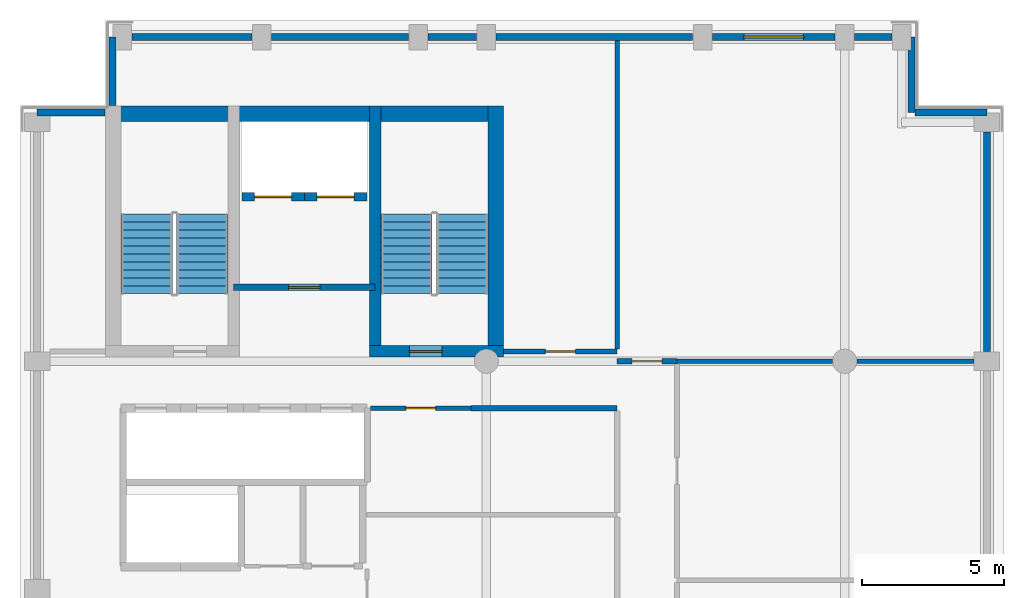
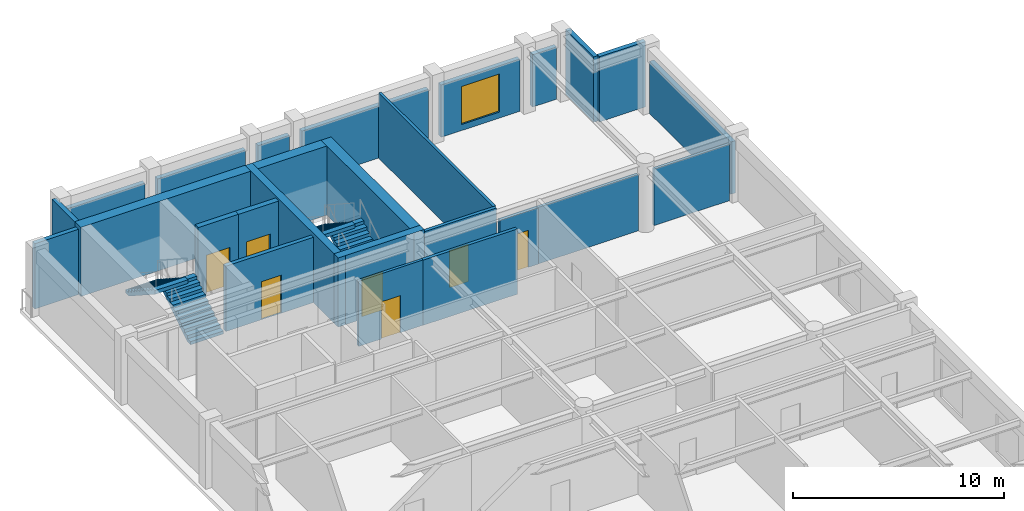
# One storey, part 4 of 6: 25 walls, 7 doors, 4 stair flights, 1 window, 8 openings, 2 elements without a shape of their own.
"""IFC4 building model written with IfcOpenShell, lengths in metres."""

import ifcopenshell
import ifcopenshell.guid

model = None  # the IFC model being written
_history = None  # IfcOwnerHistory: only IFC2X3 demands one
_inside = {}  # id of a spatial element -> (the spatial element, [elements in it])
_under = {}  # id of a project, library or spatial element -> (it, [spatial elements below it])
_declared = {}  # id of a project -> (the project, [libraries it declares])
_typed = {}  # id of a type object -> (the type object, [elements of that type])
_made_of = {}  # id of a material, layer set ... -> (it, [elements and type objects made of it])


def new_model(schema):
    """Start an empty IFC model of exactly this schema.

    Asked for "IFC4X3", IfcOpenShell would pick the latest addendum, in which some entities
    have other attributes; the version numbers below select the first issue.
    IFC2X3 requires an IfcOwnerHistory on every rooted entity: one is made here for all.
    """
    global model, _history
    if schema == "IFC4X3":
        model = ifcopenshell.file(schema_version=(4, 3, 0, 0))
    else:
        model = ifcopenshell.file(schema=schema)
    _inside.clear()
    _under.clear()
    _declared.clear()
    _typed.clear()
    _made_of.clear()
    _history = None
    if model.schema == "IFC2X3":
        org = make("IfcOrganization", Name="unknown")
        user = make(
            "IfcPersonAndOrganization",
            ThePerson=make("IfcPerson", FamilyName="unknown"),
            TheOrganization=org,
        )
        app = make(
            "IfcApplication",
            ApplicationDeveloper=org,
            Version="unknown",
            ApplicationFullName="unknown",
            ApplicationIdentifier="unknown",
        )
        _history = make(
            "IfcOwnerHistory",
            OwningUser=user,
            OwningApplication=app,
            ChangeAction="ADDED",
            CreationDate=0,
        )
    return model


def make(cls, **values):
    """One entity of the class cls with the attributes given. An attribute that is None is left unset."""
    return model.create_entity(
        cls, **{name: value for name, value in values.items() if value is not None}
    )


def rooted(cls, **values):
    """An entity with a GlobalId (a new one), such as an element, a storey or a relation."""
    return make(cls, GlobalId=ifcopenshell.guid.new(), OwnerHistory=_history, **values)


def si_unit(unit_type, name, prefix=None):
    """IfcSIUnit, for example si_unit("LENGTHUNIT", "METRE", prefix="MILLI")."""
    return make("IfcSIUnit", UnitType=unit_type, Prefix=prefix, Name=name)


def assignment(units):
    """IfcUnitAssignment: the units of a project."""
    return None if units is None else make("IfcUnitAssignment", Units=units)


def point(xyz):
    """IfcCartesianPoint."""
    return None if xyz is None else make("IfcCartesianPoint", Coordinates=xyz)


def direction(xyz):
    """IfcDirection."""
    return None if xyz is None else make("IfcDirection", DirectionRatios=xyz)


def frame(location, z_axis=None, x_axis=None):
    """IfcAxis2Placement3D, a coordinate frame: its origin and axes. An axis left out is left unset."""
    return make(
        "IfcAxis2Placement3D",
        Location=point(location),
        Axis=direction(z_axis),
        RefDirection=direction(x_axis),
    )


def frame_2d(location, x_axis=None):
    """IfcAxis2Placement2D, a coordinate frame in the plane: its origin and x axis."""
    return make(
        "IfcAxis2Placement2D", Location=point(location), RefDirection=direction(x_axis)
    )


def origin():
    """The frame at (0, 0, 0) with its axes left unset."""
    return frame((0.0, 0.0, 0.0))


def place(relative_to, where):
    """IfcLocalPlacement: puts the frame where relative to a parent placement (None: the world)."""
    return make(
        "IfcLocalPlacement", PlacementRelTo=relative_to, RelativePlacement=where
    )


def context(
    kind, dimensions, precision=None, world=None, true_north=None, identifier=None
):
    """IfcGeometricRepresentationContext, for example the 3D "Model" context."""
    return make(
        "IfcGeometricRepresentationContext",
        ContextIdentifier=identifier,
        ContextType=kind,
        CoordinateSpaceDimension=dimensions,
        Precision=precision,
        WorldCoordinateSystem=world,
        TrueNorth=true_north,
    )


def subcontext(parent, identifier, kind, view, scale=None):
    """IfcGeometricRepresentationSubContext, for example "Body" below "Model"."""
    return make(
        "IfcGeometricRepresentationSubContext",
        ContextIdentifier=identifier,
        ContextType=kind,
        ParentContext=parent,
        TargetScale=scale,
        TargetView=view,
    )


def project(units=None, contexts=None):
    """IfcProject with its units and contexts."""
    return rooted(
        "IfcProject",
        Name="project",
        RepresentationContexts=contexts,
        UnitsInContext=assignment(units),
    )


def spatial(cls, under=None, at=None, **own):
    """A site, building, storey or space (cls), placed at a placement, below another one or the project."""
    s = rooted(cls, ObjectPlacement=at, **own)
    if under is not None:
        _under.setdefault(under.id(), (under, []))[1].append(s)
    return s


def polyline(points):
    """IfcPolyline through the points."""
    return make("IfcPolyline", Points=[point(p) for p in points])


def profile(cls, at=None, kind="AREA", **sizes):
    """A parametric profile (cls). Its sizes go by their IFC names, for example OverallWidth=200.0."""
    return make(cls, ProfileType=kind, Position=at, **sizes)


def rectangle(**sizes):
    """IfcRectangleProfileDef."""
    return profile("IfcRectangleProfileDef", **sizes)


def outline(outer, holes=None, kind="AREA"):
    """IfcArbitraryClosedProfileDef: a profile drawn as a closed curve; with holes, ...WithVoids."""
    if holes is None:
        return make("IfcArbitraryClosedProfileDef", ProfileType=kind, OuterCurve=outer)
    return make(
        "IfcArbitraryProfileDefWithVoids",
        ProfileType=kind,
        OuterCurve=outer,
        InnerCurves=holes,
    )


def extrude(swept, where, along, depth):
    """IfcExtrudedAreaSolid: the profile swept, set in the frame where, extruded along a direction by depth."""
    return make(
        "IfcExtrudedAreaSolid",
        SweptArea=swept,
        Position=where,
        ExtrudedDirection=direction(along),
        Depth=depth,
    )


def shape(context_of_items, identifier, shape_type, items):
    """IfcShapeRepresentation: the items that make up one representation, for example the "Body"."""
    return make(
        "IfcShapeRepresentation",
        ContextOfItems=context_of_items,
        RepresentationIdentifier=identifier,
        RepresentationType=shape_type,
        Items=items,
    )


def material(Name=None, Category=None):
    """IfcMaterial."""
    return make("IfcMaterial", Name=Name, Category=Category)


def layer(
    of_material, thickness, ventilated=None, Name=None, Category=None, Priority=None
):
    """IfcMaterialLayer: one layer of a wall or slab, of a material (None: an air gap)."""
    return make(
        "IfcMaterialLayer",
        Material=of_material,
        LayerThickness=thickness,
        IsVentilated=ventilated,
        Name=Name,
        Category=Category,
        Priority=Priority,
    )


def layer_set(layers, Name=None):
    """IfcMaterialLayerSet."""
    return make("IfcMaterialLayerSet", MaterialLayers=layers, LayerSetName=Name)


def made_of(thing, what):
    """Note that an element or type object is made of a material, layer set ...; save() writes the relation."""
    if what is not None:
        _made_of.setdefault(what.id(), (what, []))[1].append(thing)
    return thing


def type_object(cls, material=None, **own):
    """A type object (cls), such as IfcWallType, which elements share."""
    return made_of(rooted(cls, **own), material)


def element(
    cls,
    number,
    at=None,
    inside=None,
    cuts=None,
    type_object=None,
    material=None,
    context=None,
    identifier="Body",
    shape_type=None,
    held_by="IfcProductDefinitionShape",
    body=None,
    shapes=None,
    **own,
):
    """One element of the class cls, such as IfcWall. Its Tag is "e" and its number.

    at: its placement. inside: the storey or other place that contains it. cuts: it is an
    opening in that element (IfcRelVoidsElement). A single representation is given by context,
    identifier, shape_type and body (its items); several are given by shapes. held_by: the class
    of the entity that holds the representations. save() writes the other relations.
    """
    e = rooted(cls, Tag="e%d" % number, ObjectPlacement=at, **own)
    if body is not None:
        shapes = [shape(context, identifier, shape_type, body)]
    if shapes is not None:
        e.Representation = make(held_by, Representations=shapes)
    if inside is not None:
        _inside.setdefault(inside.id(), (inside, []))[1].append(e)
    if cuts is not None:
        rooted(
            "IfcRelVoidsElement", RelatingBuildingElement=cuts, RelatedOpeningElement=e
        )
    if type_object is not None:
        _typed.setdefault(type_object.id(), (type_object, []))[1].append(e)
    return made_of(e, material)


def fill(opening, filler):
    """IfcRelFillsElement: the door or window that sits in an opening."""
    return rooted(
        "IfcRelFillsElement",
        RelatingOpeningElement=opening,
        RelatedBuildingElement=filler,
    )


def aggregate(whole, parts):
    """IfcRelAggregates: a whole, such as a stair, and the parts it consists of."""
    return rooted("IfcRelAggregates", RelatingObject=whole, RelatedObjects=parts)


def save(model, path):
    """Write the relations noted so far, then the file.

    IfcRelAggregates (storeys below a building ...), IfcRelContainedInSpatialStructure (elements
    in a storey), IfcRelDefinesByType, IfcRelAssociatesMaterial and IfcRelDeclares: one each for
    every whole, place, type object, material and project.
    """
    for whole, parts in _under.values():
        aggregate(whole, parts)
    for where, things in _inside.values():
        rooted(
            "IfcRelContainedInSpatialStructure",
            RelatedElements=things,
            RelatingStructure=where,
        )
    for kind, things in _typed.values():
        rooted("IfcRelDefinesByType", RelatedObjects=things, RelatingType=kind)
    for what, things in _made_of.values():
        rooted("IfcRelAssociatesMaterial", RelatedObjects=things, RelatingMaterial=what)
    for by, libraries in _declared.values():
        rooted("IfcRelDeclares", RelatingContext=by, RelatedDefinitions=libraries)
    model.write(path)


model = new_model("IFC4")

# Units and contexts
model_context = context("Model", 3, precision=1e-05, world=origin(), true_north=direction((0.0, 1.0)))
body_context = subcontext(model_context, "Body", "Model", "MODEL_VIEW")
ifc_project = project(units=[si_unit("LENGTHUNIT", "METRE"), si_unit("AREAUNIT", "SQUARE_METRE"), si_unit("VOLUMEUNIT", "CUBIC_METRE"), si_unit("PLANEANGLEUNIT", "RADIAN"), si_unit("MASSUNIT", "GRAM", prefix="KILO")], contexts=[model_context])

# Site, building, storey
site_placement = place(None, origin())
site = spatial("IfcSite", under=ifc_project, at=site_placement, CompositionType="ELEMENT")
building_placement = place(site_placement, origin())
building = spatial("IfcBuilding", under=site, at=building_placement, Name="Sulina Concourse Tower", CompositionType="ELEMENT")
storey_placement = place(building_placement, frame((0.0, 0.0, 309.0)))
storey = spatial("IfcBuildingStorey", under=building, at=storey_placement, Name="L75", CompositionType="ELEMENT", Elevation=309.0)

# Wall, opening, door
ifc_material_1 = material(Name="Concrete C50/60", Category="concrete")
ifc_layer_1 = layer(ifc_material_1, 0.300048828125)
ifc_layer_set_1 = layer_set([ifc_layer_1], Name="Concrete C50/60")
wall_type_1 = type_object("IfcWallType", Name="Core Lift Hoistway Wall 300mm", PredefinedType="SOLIDWALL", material=ifc_layer_set_1)
wall_1_placement = place(storey_placement, frame((10.0, 39.780029296875, 0.0), z_axis=(0.0, 0.0, 1.0), x_axis=(-1.0, 0.0, 0.0)))
wall_1 = element("IfcWall", 1, at=wall_1_placement, inside=storey, type_object=wall_type_1, Name="L75 hoistway enclosure wall FFL-1", PredefinedType="SOLIDWALL", context=body_context, shape_type="SweptSolid", body=[
    extrude(rectangle(XDim=2.199951171875, YDim=0.300048828125, at=frame_2d((1.10009765625, 0.0))), origin(), (0.0, 0.0, 1.0), 4.0),
])
opening_1_placement = place(wall_1_placement, frame((0.449951171875, 0.0, 0.0)))
opening_1 = element("IfcOpeningElement", 2, at=opening_1_placement, cuts=wall_1, Name="Opening LD-02", PredefinedType="OPENING", context=body_context, shape_type="SweptSolid", body=[
    extrude(rectangle(XDim=1.300048828125, YDim=2.25, at=frame_2d((0.64990234375, 1.125))), frame((0.0, 0.159912109375, 0.0), z_axis=(0.0, -1.0, 0.0), x_axis=(1.0, 0.0, 0.0)), (0.0, 0.0, 1.0), 0.320068359375),
])
ifc_material_2 = material(Name="Stainless steel lift landing door", Category="steel")
ifc_layer_2 = layer(ifc_material_2, 0.050048828125)
ifc_layer_set_2 = layer_set([ifc_layer_2], Name="Stainless steel lift landing door")
door_type_1 = type_object("IfcDoorType", Name="Firefighting Lift Sliding Landing Door 1300x2250", OperationType="SLIDING_TO_RIGHT", PredefinedType="DOOR", material=ifc_layer_set_2)
door_1_placement = place(opening_1_placement, origin())
door_1 = element("IfcDoor", 3, at=door_1_placement, inside=storey, type_object=door_type_1, Name="L75 lift landing sliding door FFL-1", OperationType="SLIDING_TO_LEFT", OverallHeight=2.25, OverallWidth=1.300048828125, PredefinedType="DOOR", context=body_context, shape_type="SweptSolid", body=[
    extrude(rectangle(XDim=1.300048828125, YDim=2.25, at=frame_2d((0.64990234375, 1.125))), frame((0.0, 0.02490234375, 0.0), z_axis=(0.0, -1.0, 0.0), x_axis=(1.0, 0.0, 0.0)), (0.0, 0.0, 1.0), 0.050048828125),
])
fill(opening_1, door_1)

wall_2_placement = place(storey_placement, frame((12.199951171875, 39.780029296875, 0.0), z_axis=(0.0, 0.0, 1.0), x_axis=(-1.0, 0.0, 0.0)))
wall_2 = element("IfcWall", 4, at=wall_2_placement, inside=storey, type_object=wall_type_1, Name="L75 hoistway enclosure wall FFL-2", PredefinedType="SOLIDWALL", context=body_context, shape_type="SweptSolid", body=[
    extrude(rectangle(XDim=2.199951171875, YDim=0.300048828125, at=frame_2d((1.10009765625, 0.0))), origin(), (0.0, 0.0, 1.0), 4.0),
])
opening_2_placement = place(wall_2_placement, frame((0.449951171875, 0.0, 0.0)))
opening_2 = element("IfcOpeningElement", 5, at=opening_2_placement, cuts=wall_2, Name="Opening LD-02", PredefinedType="OPENING", context=body_context, shape_type="SweptSolid", body=[
    extrude(rectangle(XDim=1.300048828125, YDim=2.25, at=frame_2d((0.64990234375, 1.125))), frame((0.0, 0.159912109375, 0.0), z_axis=(0.0, -1.0, 0.0), x_axis=(1.0, 0.0, 0.0)), (0.0, 0.0, 1.0), 0.320068359375),
])
door_2_placement = place(opening_2_placement, origin())
door_2 = element("IfcDoor", 6, at=door_2_placement, inside=storey, type_object=door_type_1, Name="L75 lift landing sliding door FFL-2", OperationType="SLIDING_TO_RIGHT", OverallHeight=2.25, OverallWidth=1.300048828125, PredefinedType="DOOR", context=body_context, shape_type="SweptSolid", body=[
    extrude(rectangle(XDim=1.300048828125, YDim=2.25, at=frame_2d((0.64990234375, 1.125))), frame((0.0, 0.02490234375, 0.0), z_axis=(0.0, -1.0, 0.0), x_axis=(1.0, 0.0, 0.0)), (0.0, 0.0, 1.0), 0.050048828125),
])
fill(opening_2, door_2)

# Walls
ifc_material_3 = material(Name="Precast concrete C50/60", Category="concrete")
ifc_layer_3 = layer(ifc_material_3, 0.239990234375)
ifc_layer_set_3 = layer_set([ifc_layer_3], Name="Precast concrete C50/60")
wall_type_2 = type_object("IfcWallType", Name="Crown Precast Masonry-Frame Facade Wall 240mm", PredefinedType="SOLIDWALL", material=ifc_layer_set_3)
wall_3_placement = place(storey_placement, frame((3.945068359375, 45.39990234375, 0.0), z_axis=(0.0, 0.0, 1.0), x_axis=(1.0, 0.0, 0.0)))
element("IfcWall", 7, at=wall_3_placement, inside=storey, type_object=wall_type_2, Name="L75 exterior precast wall N1", PredefinedType="SOLIDWALL", context=body_context, shape_type="SweptSolid", body=[
    extrude(rectangle(XDim=4.2099609375, YDim=0.239990234375, at=frame_2d((2.10498046875, 0.0))), origin(), (0.0, 0.0, 1.0), 3.02490234375),
])
wall_4_placement = place(storey_placement, frame((8.844970703125, 45.39990234375, 0.0), z_axis=(0.0, 0.0, 1.0), x_axis=(1.0, 0.0, 0.0)))
element("IfcWall", 8, at=wall_4_placement, inside=storey, type_object=wall_type_2, Name="L75 exterior precast wall N2", PredefinedType="SOLIDWALL", context=body_context, shape_type="SweptSolid", body=[
    extrude(rectangle(XDim=4.81005859375, YDim=0.239990234375, at=frame_2d((2.405029296875, 0.0))), origin(), (0.0, 0.0, 1.0), 3.02490234375),
])
wall_5_placement = place(storey_placement, frame((14.344970703125, 45.39990234375, 0.0), z_axis=(0.0, 0.0, 1.0), x_axis=(1.0, 0.0, 0.0)))
element("IfcWall", 9, at=wall_5_placement, inside=storey, type_object=wall_type_2, Name="L75 exterior precast wall N3", PredefinedType="SOLIDWALL", context=body_context, shape_type="SweptSolid", body=[
    extrude(rectangle(XDim=1.7099609375, YDim=0.239990234375, at=frame_2d((0.85498046875, 0.0))), origin(), (0.0, 0.0, 1.0), 3.02490234375),
])
wall_6_placement = place(storey_placement, frame((16.7451171875, 45.39990234375, 0.0), z_axis=(0.0, 0.0, 1.0), x_axis=(1.0, 0.0, 0.0)))
element("IfcWall", 10, at=wall_6_placement, inside=storey, type_object=wall_type_2, Name="L75 exterior precast wall N4", PredefinedType="SOLIDWALL", context=body_context, shape_type="SweptSolid", body=[
    extrude(rectangle(XDim=6.909912109375, YDim=0.239990234375, at=frame_2d((3.455078125, 0.0))), origin(), (0.0, 0.0, 1.0), 3.02490234375),
])

# Wall, opening, window
wall_7_placement = place(storey_placement, frame((24.344970703125, 45.39990234375, 0.0), z_axis=(0.0, 0.0, 1.0), x_axis=(1.0, 0.0, 0.0)))
wall_7 = element("IfcWall", 11, at=wall_7_placement, inside=storey, type_object=wall_type_2, Name="L75 exterior precast wall N5", PredefinedType="SOLIDWALL", context=body_context, shape_type="SweptSolid", body=[
    extrude(rectangle(XDim=4.31005859375, YDim=0.239990234375, at=frame_2d((2.155029296875, 0.0))), origin(), (0.0, 0.0, 1.0), 3.02490234375),
])
opening_3_placement = place(wall_7_placement, frame((1.10498046875, 0.0, 0.35009765625)))
opening_3 = element("IfcOpeningElement", 12, at=opening_3_placement, cuts=wall_7, Name="Opening WN-33", PredefinedType="OPENING", context=body_context, shape_type="SweptSolid", body=[
    extrude(rectangle(XDim=2.10009765625, YDim=2.199951171875, at=frame_2d((1.050048828125, 1.10009765625))), frame((0.0, 0.1298828125, 0.0), z_axis=(0.0, -1.0, 0.0), x_axis=(1.0, 0.0, 0.0)), (0.0, 0.0, 1.0), 0.260009765625),
])
ifc_material_4 = material(Name="Low-E solar double glazing in bronze aluminium", Category="aluminium")
window_type = type_object("IfcWindowType", Name="Punched Masonry-Frame Window 2100x2200", PartitioningType="DOUBLE_PANEL_VERTICAL", PredefinedType="WINDOW", material=ifc_material_4)
window_placement = place(opening_3_placement, origin())
window = element("IfcWindow", 13, at=window_placement, inside=storey, type_object=window_type, Name="L75 punched window N5-1", OverallHeight=2.199951171875, OverallWidth=2.10009765625, PartitioningType="SINGLE_PANEL", PredefinedType="WINDOW", context=body_context, shape_type="SweptSolid", body=[
    extrude(rectangle(XDim=2.10009765625, YDim=2.199951171875, at=frame_2d((1.050048828125, 1.10009765625))), frame((0.0, 0.030029296875, 0.0), z_axis=(0.0, -1.0, 0.0), x_axis=(1.0, 0.0, 0.0)), (0.0, 0.0, 1.0), 0.06005859375),
])
fill(opening_3, window)

# Walls
wall_8_placement = place(storey_placement, frame((29.344970703125, 45.39990234375, 0.0), z_axis=(0.0, 0.0, 1.0), x_axis=(1.0, 0.0, 0.0)))
element("IfcWall", 14, at=wall_8_placement, inside=storey, type_object=wall_type_2, Name="L75 exterior precast wall N6", PredefinedType="SOLIDWALL", context=body_context, shape_type="SweptSolid", body=[
    extrude(rectangle(XDim=1.31005859375, YDim=0.239990234375, at=frame_2d((0.655029296875, 0.0))), origin(), (0.0, 0.0, 1.0), 3.02490234375),
])
wall_9_placement = place(storey_placement, frame((34.0, 42.054931640625, 0.0), z_axis=(0.0, 0.0, 1.0), x_axis=(0.0, -1.0, 0.0)))
element("IfcWall", 15, at=wall_9_placement, inside=storey, type_object=wall_type_2, Name="L75 exterior precast wall E3", PredefinedType="SOLIDWALL", context=body_context, shape_type="SweptSolid", body=[
    extrude(rectangle(XDim=7.7099609375, YDim=0.239990234375, at=frame_2d((3.85498046875, 0.0))), origin(), (0.0, 0.0, 1.0), 3.02490234375),
])
wall_10_placement = place(storey_placement, frame((0.60009765625, 42.7451171875, 0.0), z_axis=(0.0, 0.0, 1.0), x_axis=(1.0, 0.0, 0.0)))
element("IfcWall", 16, at=wall_10_placement, inside=storey, type_object=wall_type_2, Name="L75 exterior precast wall CNW1", PredefinedType="SOLIDWALL", context=body_context, shape_type="SweptSolid", body=[
    extrude(rectangle(XDim=2.39501953125, YDim=0.239990234375, at=frame_2d((1.197509765625, 0.0))), origin(), (0.0, 0.0, 1.0), 3.77490234375),
])
wall_11_placement = place(storey_placement, frame((3.2548828125, 42.985107421875, 0.0), z_axis=(0.0, 0.0, 1.0), x_axis=(0.0, 1.0, 0.0)))
element("IfcWall", 17, at=wall_11_placement, inside=storey, type_object=wall_type_2, Name="L75 exterior precast wall CNW2", PredefinedType="SOLIDWALL", context=body_context, shape_type="SweptSolid", body=[
    extrude(rectangle(XDim=2.414794921875, YDim=0.239990234375, at=frame_2d((1.20751953125, 0.0))), origin(), (0.0, 0.0, 1.0), 3.77490234375),
])
wall_12_placement = place(storey_placement, frame((31.344970703125, 45.39990234375, 0.0), z_axis=(0.0, 0.0, 1.0), x_axis=(0.0, -1.0, 0.0)))
element("IfcWall", 18, at=wall_12_placement, inside=storey, type_object=wall_type_2, Name="L75 exterior precast wall CNE1", PredefinedType="SOLIDWALL", context=body_context, shape_type="SweptSolid", body=[
    extrude(rectangle(XDim=2.65478515625, YDim=0.239990234375, at=frame_2d((1.327392578125, 0.0))), origin(), (0.0, 0.0, 1.0), 3.77490234375),
])
wall_13_placement = place(storey_placement, frame((31.469970703125, 42.7451171875, 0.0), z_axis=(0.0, 0.0, 1.0), x_axis=(1.0, 0.0, 0.0)))
element("IfcWall", 19, at=wall_13_placement, inside=storey, type_object=wall_type_2, Name="L75 exterior precast wall CNE2", PredefinedType="SOLIDWALL", context=body_context, shape_type="SweptSolid", body=[
    extrude(rectangle(XDim=2.530029296875, YDim=0.239990234375, at=frame_2d((1.26513671875, 0.0))), origin(), (0.0, 0.0, 1.0), 3.77490234375),
])

# Wall, opening, door
ifc_material_5 = material(Name="Gypsum board on steel stud", Category="steel")
ifc_layer_4 = layer(ifc_material_5, 0.219970703125)
ifc_layer_set_4 = layer_set([ifc_layer_4], Name="Gypsum board on steel stud")
wall_type_3 = type_object("IfcWallType", Name="Fire-Rated Lobby & Compartment Wall 220mm", PredefinedType="PARTITIONING", material=ifc_layer_set_4)
wall_14_placement = place(storey_placement, frame((7.510009765625, 36.60009765625, 0.0), z_axis=(0.0, 0.0, 1.0), x_axis=(1.0, 0.0, 0.0)))
wall_14 = element("IfcWall", 20, at=wall_14_placement, inside=storey, type_object=wall_type_3, Name="L75 firefighting lobby south fire wall", PredefinedType="PARTITIONING", context=body_context, shape_type="SweptSolid", body=[
    extrude(rectangle(XDim=4.97998046875, YDim=0.219970703125, at=frame_2d((2.489990234375, 0.0))), origin(), (0.0, 0.0, 1.0), 3.77490234375),
])
opening_4_placement = place(wall_14_placement, frame((1.93994140625, 0.0, 0.0)))
opening_4 = element("IfcOpeningElement", 21, at=opening_4_placement, cuts=wall_14, Name="Opening DR-47", PredefinedType="OPENING", context=body_context, shape_type="SweptSolid", body=[
    extrude(rectangle(XDim=1.10009765625, YDim=2.199951171875, at=frame_2d((0.550048828125, 1.10009765625))), frame((0.0, 0.119873046875, 0.0), z_axis=(0.0, -1.0, 0.0), x_axis=(1.0, 0.0, 0.0)), (0.0, 0.0, 1.0), 0.239990234375),
])
ifc_material_6 = material(Name="Galvanised steel acoustic fire leaf", Category="steel")
ifc_layer_5 = layer(ifc_material_6, 0.054931640625)
ifc_layer_set_5 = layer_set([ifc_layer_5], Name="Galvanised steel acoustic fire leaf")
door_type_2 = type_object("IfcDoorType", Name="Firefighting Lobby Fire Door 1100x2200", OperationType="NOTDEFINED", PredefinedType="DOOR", material=ifc_layer_set_5)
door_3_placement = place(opening_4_placement, origin())
door_3 = element("IfcDoor", 22, at=door_3_placement, inside=storey, type_object=door_type_2, Name="L75 firefighting lobby fire door", OperationType="SINGLE_SWING_RIGHT", OverallHeight=2.199951171875, OverallWidth=1.10009765625, PredefinedType="DOOR", context=body_context, shape_type="SweptSolid", body=[
    extrude(rectangle(XDim=1.10009765625, YDim=2.199951171875, at=frame_2d((0.550048828125, 1.10009765625))), frame((0.0, 0.02490234375, 0.0), z_axis=(0.0, -1.0, 0.0), x_axis=(1.0, 0.0, 0.0)), (0.0, 0.0, 1.0), 0.050048828125),
])
fill(opening_4, door_3)

ifc_material_7 = material(Name="Gypsum board on steel stud", Category="steel")
ifc_layer_6 = layer(ifc_material_7, 0.14990234375)
ifc_layer_set_6 = layer_set([ifc_layer_6], Name="Gypsum board on steel stud")
wall_type_4 = type_object("IfcWallType", Name="Inter-Tenancy Acoustic Partition 150mm", PredefinedType="PARTITIONING", material=ifc_layer_set_6)
wall_15_placement = place(storey_placement, frame((12.330078125, 32.35009765625, 0.0), z_axis=(0.0, 0.0, 1.0), x_axis=(1.0, 0.0, 0.0)))
wall_15 = element("IfcWall", 23, at=wall_15_placement, inside=storey, type_object=wall_type_4, Name="L75 interior partition 018", PredefinedType="PARTITIONING", context=body_context, shape_type="SweptSolid", body=[
    extrude(rectangle(XDim=3.52001953125, YDim=0.14990234375, at=frame_2d((1.760009765625, 0.0))), origin(), (0.0, 0.0, 1.0), 3.77490234375),
])
opening_5_placement = place(wall_15_placement, frame((1.235107421875, 0.0, 0.0)))
opening_5 = element("IfcOpeningElement", 24, at=opening_5_placement, cuts=wall_15, Name="Opening DR-37", PredefinedType="OPENING", context=body_context, shape_type="SweptSolid", body=[
    extrude(rectangle(XDim=1.050048828125, YDim=2.14990234375, at=frame_2d((0.52490234375, 1.074951171875))), frame((0.0, 0.0849609375, 0.0), z_axis=(0.0, -1.0, 0.0), x_axis=(1.0, 0.0, 0.0)), (0.0, 0.0, 1.0), 0.169921875),
])
ifc_material_8 = material(Name="Oak-veneered fire door leaf")
ifc_layer_7 = layer(ifc_material_8, 0.050048828125)
ifc_layer_set_7 = layer_set([ifc_layer_7], Name="Oak-veneered fire door leaf")
door_type_3 = type_object("IfcDoorType", Name="Tenant Suite Entrance Fire Door 1050x2150", OperationType="NOTDEFINED", PredefinedType="DOOR", material=ifc_layer_set_7)
door_4_placement = place(opening_5_placement, origin())
door_4 = element("IfcDoor", 25, at=door_4_placement, inside=storey, type_object=door_type_3, Name="L75 interior door L75-MR-MRG2", OperationType="SINGLE_SWING_LEFT", OverallHeight=2.14990234375, OverallWidth=1.050048828125, PredefinedType="DOOR", context=body_context, shape_type="SweptSolid", body=[
    extrude(rectangle(XDim=1.050048828125, YDim=2.14990234375, at=frame_2d((0.52490234375, 1.074951171875))), frame((0.0, 0.02490234375, 0.0), z_axis=(0.0, -1.0, 0.0), x_axis=(1.0, 0.0, 0.0)), (0.0, 0.0, 1.0), 0.050048828125),
])
fill(opening_5, door_4)

# Walls
wall_16_placement = place(storey_placement, frame((23.10009765625, 34.0, 0.0), z_axis=(0.0, 0.0, 1.0), x_axis=(1.0, 0.0, 0.0)))
element("IfcWall", 26, at=wall_16_placement, inside=storey, type_object=wall_type_4, Name="L75 interior partition 021", PredefinedType="PARTITIONING", context=body_context, shape_type="SweptSolid", body=[
    extrude(rectangle(XDim=5.474853515625, YDim=0.14990234375, at=frame_2d((2.7373046875, 0.0))), origin(), (0.0, 0.0, 1.0), 3.27001953125),
])
wall_17_placement = place(storey_placement, frame((29.425048828125, 34.0, 0.0), z_axis=(0.0, 0.0, 1.0), x_axis=(1.0, 0.0, 0.0)))
element("IfcWall", 27, at=wall_17_placement, inside=storey, type_object=wall_type_4, Name="L75 interior partition 022", PredefinedType="PARTITIONING", context=body_context, shape_type="SweptSolid", body=[
    extrude(rectangle(XDim=4.125, YDim=0.14990234375, at=frame_2d((2.0625, 0.0))), origin(), (0.0, 0.0, 1.0), 3.27001953125),
])
wall_18_placement = place(storey_placement, frame((21.0, 34.43994140625, 0.0), z_axis=(0.0, 0.0, 1.0), x_axis=(0.0, 1.0, 0.0)))
element("IfcWall", 28, at=wall_18_placement, inside=storey, type_object=wall_type_4, Name="L75 interior partition 036", PredefinedType="PARTITIONING", context=body_context, shape_type="SweptSolid", body=[
    extrude(rectangle(XDim=10.840087890625, YDim=0.14990234375, at=frame_2d((5.419921875, 0.0))), origin(), (0.0, 0.0, 1.0), 3.77490234375),
])
ifc_material_9 = material(Name="Gypsum board on steel stud", Category="steel")
ifc_layer_8 = layer(ifc_material_9, 0.179931640625)
ifc_layer_set_8 = layer_set([ifc_layer_8], Name="Gypsum board on steel stud")
wall_type_5 = type_object("IfcWallType", Name="Protected Corridor & Riser Partition 180mm", PredefinedType="PARTITIONING", material=ifc_layer_set_8)
wall_19_placement = place(storey_placement, frame((15.85009765625, 32.35009765625, 0.0), z_axis=(0.0, 0.0, 1.0), x_axis=(1.0, 0.0, 0.0)))
element("IfcWall", 29, at=wall_19_placement, inside=storey, type_object=wall_type_5, Name="L75 interior partition 019", PredefinedType="PARTITIONING", context=body_context, shape_type="SweptSolid", body=[
    extrude(rectangle(XDim=5.14990234375, YDim=0.179931640625, at=frame_2d((2.574951171875, 0.0))), origin(), (0.0, 0.0, 1.0), 3.77490234375),
])

# Wall, opening, door
wall_20_placement = place(storey_placement, frame((21.0, 34.0, 0.0), z_axis=(0.0, 0.0, 1.0), x_axis=(1.0, 0.0, 0.0)))
wall_20 = element("IfcWall", 30, at=wall_20_placement, inside=storey, type_object=wall_type_5, Name="L75 interior partition 020", PredefinedType="PARTITIONING", context=body_context, shape_type="SweptSolid", body=[
    extrude(rectangle(XDim=2.10009765625, YDim=0.179931640625, at=frame_2d((1.050048828125, 0.0))), origin(), (0.0, 0.0, 1.0), 3.27001953125),
])
opening_6_placement = place(wall_20_placement, frame((0.52490234375, 0.0, 0.0)))
opening_6 = element("IfcOpeningElement", 31, at=opening_6_placement, cuts=wall_20, Name="Opening DR-37", PredefinedType="OPENING", context=body_context, shape_type="SweptSolid", body=[
    extrude(rectangle(XDim=1.050048828125, YDim=2.14990234375, at=frame_2d((0.52490234375, 1.074951171875))), frame((0.0, 0.099853515625, 0.0), z_axis=(0.0, -1.0, 0.0), x_axis=(1.0, 0.0, 0.0)), (0.0, 0.0, 1.0), 0.199951171875),
])
door_5_placement = place(opening_6_placement, origin())
door_5 = element("IfcDoor", 32, at=door_5_placement, inside=storey, type_object=door_type_3, Name="L75 interior door L75-CR-N2", OperationType="SINGLE_SWING_RIGHT", OverallHeight=2.14990234375, OverallWidth=1.050048828125, PredefinedType="DOOR", context=body_context, shape_type="SweptSolid", body=[
    extrude(rectangle(XDim=1.050048828125, YDim=2.14990234375, at=frame_2d((0.52490234375, 1.074951171875))), frame((0.0, 0.02490234375, 0.0), z_axis=(0.0, -1.0, 0.0), x_axis=(1.0, 0.0, 0.0)), (0.0, 0.0, 1.0), 0.050048828125),
])
fill(opening_6, door_5)

wall_21_placement = place(storey_placement, frame((17.0, 34.35009765625, 0.0), z_axis=(0.0, 0.0, 1.0), x_axis=(1.0, 0.0, 0.0)))
wall_21 = element("IfcWall", 33, at=wall_21_placement, inside=storey, type_object=wall_type_5, Name="L75 interior partition 024", PredefinedType="PARTITIONING", context=body_context, shape_type="SweptSolid", body=[
    extrude(rectangle(XDim=4.0, YDim=0.179931640625, at=frame_2d((2.0, 0.0))), origin(), (0.0, 0.0, 1.0), 3.77490234375),
])
opening_7_placement = place(wall_21_placement, frame((1.47509765625, 0.0, 0.0)))
opening_7 = element("IfcOpeningElement", 34, at=opening_7_placement, cuts=wall_21, Name="Opening DR-37", PredefinedType="OPENING", context=body_context, shape_type="SweptSolid", body=[
    extrude(rectangle(XDim=1.050048828125, YDim=2.14990234375, at=frame_2d((0.52490234375, 1.074951171875))), frame((0.0, 0.099853515625, 0.0), z_axis=(0.0, -1.0, 0.0), x_axis=(1.0, 0.0, 0.0)), (0.0, 0.0, 1.0), 0.199951171875),
])
door_6_placement = place(opening_7_placement, origin())
door_6 = element("IfcDoor", 35, at=door_6_placement, inside=storey, type_object=door_type_3, Name="L75 interior door L75-CR-N1", OperationType="SINGLE_SWING_LEFT", OverallHeight=2.14990234375, OverallWidth=1.050048828125, PredefinedType="DOOR", context=body_context, shape_type="SweptSolid", body=[
    extrude(rectangle(XDim=1.050048828125, YDim=2.14990234375, at=frame_2d((0.52490234375, 1.074951171875))), frame((0.0, 0.02490234375, 0.0), z_axis=(0.0, -1.0, 0.0), x_axis=(1.0, 0.0, 0.0)), (0.0, 0.0, 1.0), 0.050048828125),
])
fill(opening_7, door_6)

ifc_material_10 = material(Name="Concrete C60/75", Category="concrete")
ifc_layer_9 = layer(ifc_material_10, 0.39990234375)
ifc_layer_set_9 = layer_set([ifc_layer_9], Name="Concrete C60/75")
wall_type_6 = type_object("IfcWallType", Name="Protected Stair Core Shear Wall 400mm", PredefinedType="SHEAR", material=ifc_layer_set_9)
wall_22_placement = place(storey_placement, frame((12.2900390625, 34.35009765625, 0.0), z_axis=(0.0, 0.0, 1.0), x_axis=(1.0, 0.0, 0.0)))
wall_22 = element("IfcWall", 36, at=wall_22_placement, inside=storey, type_object=wall_type_6, Name="L75 west core shear wall CW-WS2", PredefinedType="SHEAR", context=body_context, shape_type="SweptSolid", body=[
    extrude(rectangle(XDim=4.7099609375, YDim=0.39990234375, at=frame_2d((2.35498046875, 0.0))), origin(), (0.0, 0.0, 1.0), 4.0),
])
opening_8_placement = place(wall_22_placement, frame((1.39990234375, 0.0, 0.0)))
opening_8 = element("IfcOpeningElement", 37, at=opening_8_placement, cuts=wall_22, Name="Opening DR-60", PredefinedType="OPENING", context=body_context, shape_type="SweptSolid", body=[
    extrude(rectangle(XDim=1.14990234375, YDim=2.199951171875, at=frame_2d((0.574951171875, 1.10009765625))), frame((0.0, 0.2099609375, 0.0), z_axis=(0.0, -1.0, 0.0), x_axis=(1.0, 0.0, 0.0)), (0.0, 0.0, 1.0), 0.419921875),
])
ifc_material_11 = material(Name="Galvanised steel acoustic fire leaf", Category="steel")
ifc_layer_10 = layer(ifc_material_11, 0.054931640625)
ifc_layer_set_10 = layer_set([ifc_layer_10], Name="Galvanised steel acoustic fire leaf")
door_type_4 = type_object("IfcDoorType", Name="Protected Exit Stair Fire Door 1150x2200", OperationType="NOTDEFINED", PredefinedType="DOOR", material=ifc_layer_set_10)
door_7_placement = place(opening_8_placement, origin())
door_7 = element("IfcDoor", 38, at=door_7_placement, inside=storey, type_object=door_type_4, Name="L75 stair ST-2 lobby fire door", OperationType="SINGLE_SWING_LEFT", OverallHeight=2.199951171875, OverallWidth=1.14990234375, PredefinedType="DOOR", context=body_context, shape_type="SweptSolid", body=[
    extrude(rectangle(XDim=1.14990234375, YDim=2.199951171875, at=frame_2d((0.574951171875, 1.10009765625))), frame((0.0, 0.02490234375, 0.0), z_axis=(0.0, -1.0, 0.0), x_axis=(1.0, 0.0, 0.0)), (0.0, 0.0, 1.0), 0.050048828125),
])
fill(opening_8, door_7)

# Walls
wall_23_placement = place(storey_placement, frame((12.489990234375, 34.14990234375, 0.0), z_axis=(0.0, 0.0, 1.0), x_axis=(0.0, 1.0, 0.0)))
element("IfcWall", 39, at=wall_23_placement, inside=storey, type_object=wall_type_6, Name="L75 west core shear wall SW-ST2", PredefinedType="SHEAR", context=body_context, shape_type="SweptSolid", body=[
    extrude(rectangle(XDim=8.830078125, YDim=0.39990234375, at=frame_2d((4.4150390625, 0.0))), origin(), (0.0, 0.0, 1.0), 4.0),
])
ifc_material_12 = material(Name="Concrete C50/60", Category="concrete")
ifc_layer_11 = layer(ifc_material_12, 0.550048828125)
ifc_layer_set_11 = layer_set([ifc_layer_11], Name="Concrete C50/60")
wall_type_7 = type_object("IfcWallType", Name="Upper Core Shear Wall 550mm", PredefinedType="SHEAR", material=ifc_layer_set_11)
wall_24_placement = place(storey_placement, frame((3.0, 42.705078125, 0.0), z_axis=(0.0, 0.0, 1.0), x_axis=(1.0, 0.0, 0.0)))
element("IfcWall", 40, at=wall_24_placement, inside=storey, type_object=wall_type_7, Name="L75 west core shear wall CW-WN", PredefinedType="SHEAR", context=body_context, shape_type="SweptSolid", body=[
    extrude(rectangle(XDim=14.0, YDim=0.550048828125, at=frame_2d((7.0, 0.0))), origin(), (0.0, 0.0, 1.0), 4.0),
])
wall_25_placement = place(storey_placement, frame((16.72509765625, 34.14990234375, 0.0), z_axis=(0.0, 0.0, 1.0), x_axis=(0.0, 1.0, 0.0)))
element("IfcWall", 41, at=wall_25_placement, inside=storey, type_object=wall_type_7, Name="L75 west core shear wall CW-WE", PredefinedType="SHEAR", context=body_context, shape_type="SweptSolid", body=[
    extrude(rectangle(XDim=8.830078125, YDim=0.550048828125, at=frame_2d((4.4150390625, 0.0))), origin(), (0.0, 0.0, 1.0), 4.0),
])

# Stair, stair flights
ifc_material_13 = material(Name="Concrete C50/60", Category="concrete")
stair_type = type_object("IfcStairType", Name="Primary Core Dog-Leg Exit Stair 1800mm", PredefinedType="HALF_TURN_STAIR", material=ifc_material_13)
stair_1_placement = place(storey_placement, origin())
stair_1 = element("IfcStair", 42, at=stair_1_placement, inside=storey, type_object=stair_type, Name="L75 ST-1", PredefinedType="HALF_TURN_STAIR")
ifc_material_14 = material(Name="Concrete C50/60", Category="concrete")
stair_flight_type = type_object("IfcStairFlightType", Name="Primary Core Dog-Leg Exit Stair 1800mm Flight", PredefinedType="STRAIGHT", material=ifc_material_14)
stair_flight_1_placement = place(storey_placement, frame((6.405029296875, 36.375, 0.0), z_axis=(0.0, 0.0, 1.0), x_axis=(0.0, 1.0, 0.0)))
stair_flight_1 = element("IfcStairFlight", 43, at=stair_flight_1_placement, type_object=stair_flight_type, Name="ST-1 flight 1", NumberOfRisers=11, NumberOfTreads=10, PredefinedType="STRAIGHT", RiserHeight=0.181818182, TreadLength=0.28, context=body_context, shape_type="SweptSolid", body=[
    extrude(outline(polyline([(0.0, 0.0), (0.0, 0.181884765625), (0.280029296875, 0.181884765625), (0.280029296875, 0.363525390625), (0.56005859375, 0.363525390625), (0.56005859375, 0.54541015625), (0.840087890625, 0.54541015625), (0.840087890625, 0.727294921875), (1.1201171875, 0.727294921875), (1.1201171875, 0.9091796875), (1.39990234375, 0.9091796875), (1.39990234375, 1.0908203125), (1.679931640625, 1.0908203125), (1.679931640625, 1.272705078125), (1.9599609375, 1.272705078125), (1.9599609375, 1.45458984375), (2.239990234375, 1.45458984375), (2.239990234375, 1.636474609375), (2.52001953125, 1.636474609375), (2.52001953125, 1.818115234375), (2.800048828125, 1.818115234375), (2.800048828125, 2.0), (2.800048828125, 1.603759765625), (0.330322265625, 0.0), (0.0, 0.0)])), frame((0.0, 0.89990234375, 0.0), z_axis=(0.0, -1.0, 0.0), x_axis=(1.0, 0.0, 0.0)), (0.0, 0.0, 1.0), 1.800048828125),
])
stair_flight_2_placement = place(storey_placement, frame((4.455078125, 39.175048828125, 2.0), z_axis=(0.0, 0.0, 1.0), x_axis=(0.0, -1.0, 0.0)))
stair_flight_2 = element("IfcStairFlight", 44, at=stair_flight_2_placement, type_object=stair_flight_type, Name="ST-1 flight 2", NumberOfRisers=11, NumberOfTreads=10, PredefinedType="STRAIGHT", RiserHeight=0.181818182, TreadLength=0.28, context=body_context, shape_type="SweptSolid", body=[
    extrude(outline(polyline([(0.0, 0.0), (0.0, 0.181884765625), (0.280029296875, 0.181884765625), (0.280029296875, 0.363525390625), (0.56005859375, 0.363525390625), (0.56005859375, 0.54541015625), (0.840087890625, 0.54541015625), (0.840087890625, 0.727294921875), (1.1201171875, 0.727294921875), (1.1201171875, 0.9091796875), (1.39990234375, 0.9091796875), (1.39990234375, 1.0908203125), (1.679931640625, 1.0908203125), (1.679931640625, 1.272705078125), (1.9599609375, 1.272705078125), (1.9599609375, 1.45458984375), (2.239990234375, 1.45458984375), (2.239990234375, 1.636474609375), (2.52001953125, 1.636474609375), (2.52001953125, 1.818115234375), (2.800048828125, 1.818115234375), (2.800048828125, 2.0), (2.800048828125, 1.603759765625), (0.330322265625, 0.0), (0.0, 0.0)])), frame((0.0, 0.89990234375, 0.0), z_axis=(0.0, -1.0, 0.0), x_axis=(1.0, 0.0, 0.0)), (0.0, 0.0, 1.0), 1.800048828125),
])
aggregate(stair_1, [stair_flight_1, stair_flight_2])

stair_2_placement = place(storey_placement, origin())
stair_2 = element("IfcStair", 45, at=stair_2_placement, inside=storey, type_object=stair_type, Name="L75 ST-2", PredefinedType="HALF_TURN_STAIR")
stair_flight_3_placement = place(storey_placement, frame((15.544921875, 36.375, 0.0), z_axis=(0.0, 0.0, 1.0), x_axis=(0.0, 1.0, 0.0)))
stair_flight_3 = element("IfcStairFlight", 46, at=stair_flight_3_placement, type_object=stair_flight_type, Name="ST-2 flight 1", NumberOfRisers=11, NumberOfTreads=10, PredefinedType="STRAIGHT", RiserHeight=0.181818182, TreadLength=0.28, context=body_context, shape_type="SweptSolid", body=[
    extrude(outline(polyline([(0.0, 0.0), (0.0, 0.181884765625), (0.280029296875, 0.181884765625), (0.280029296875, 0.363525390625), (0.56005859375, 0.363525390625), (0.56005859375, 0.54541015625), (0.840087890625, 0.54541015625), (0.840087890625, 0.727294921875), (1.1201171875, 0.727294921875), (1.1201171875, 0.9091796875), (1.39990234375, 0.9091796875), (1.39990234375, 1.0908203125), (1.679931640625, 1.0908203125), (1.679931640625, 1.272705078125), (1.9599609375, 1.272705078125), (1.9599609375, 1.45458984375), (2.239990234375, 1.45458984375), (2.239990234375, 1.636474609375), (2.52001953125, 1.636474609375), (2.52001953125, 1.818115234375), (2.800048828125, 1.818115234375), (2.800048828125, 2.0), (2.800048828125, 1.603759765625), (0.330322265625, 0.0), (0.0, 0.0)])), frame((0.0, 0.89990234375, 0.0), z_axis=(0.0, -1.0, 0.0), x_axis=(1.0, 0.0, 0.0)), (0.0, 0.0, 1.0), 1.800048828125),
])
stair_flight_4_placement = place(storey_placement, frame((13.594970703125, 39.175048828125, 2.0), z_axis=(0.0, 0.0, 1.0), x_axis=(0.0, -1.0, 0.0)))
stair_flight_4 = element("IfcStairFlight", 47, at=stair_flight_4_placement, type_object=stair_flight_type, Name="ST-2 flight 2", NumberOfRisers=11, NumberOfTreads=10, PredefinedType="STRAIGHT", RiserHeight=0.181818182, TreadLength=0.28, context=body_context, shape_type="SweptSolid", body=[
    extrude(outline(polyline([(0.0, 0.0), (0.0, 0.181884765625), (0.280029296875, 0.181884765625), (0.280029296875, 0.363525390625), (0.56005859375, 0.363525390625), (0.56005859375, 0.54541015625), (0.840087890625, 0.54541015625), (0.840087890625, 0.727294921875), (1.1201171875, 0.727294921875), (1.1201171875, 0.9091796875), (1.39990234375, 0.9091796875), (1.39990234375, 1.0908203125), (1.679931640625, 1.0908203125), (1.679931640625, 1.272705078125), (1.9599609375, 1.272705078125), (1.9599609375, 1.45458984375), (2.239990234375, 1.45458984375), (2.239990234375, 1.636474609375), (2.52001953125, 1.636474609375), (2.52001953125, 1.818115234375), (2.800048828125, 1.818115234375), (2.800048828125, 2.0), (2.800048828125, 1.603759765625), (0.330322265625, 0.0), (0.0, 0.0)])), frame((0.0, 0.89990234375, 0.0), z_axis=(0.0, -1.0, 0.0), x_axis=(1.0, 0.0, 0.0)), (0.0, 0.0, 1.0), 1.800048828125),
])
aggregate(stair_2, [stair_flight_3, stair_flight_4])

save(model, "model.ifc")
